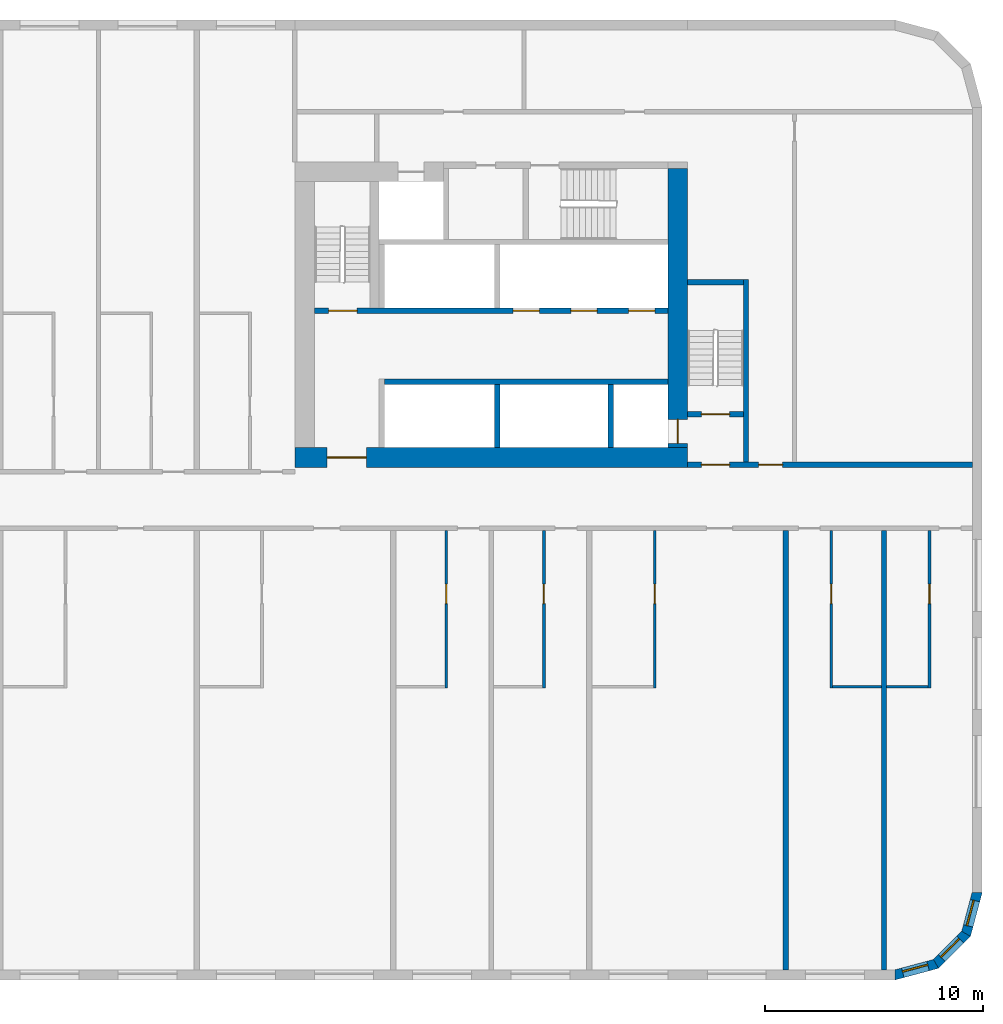
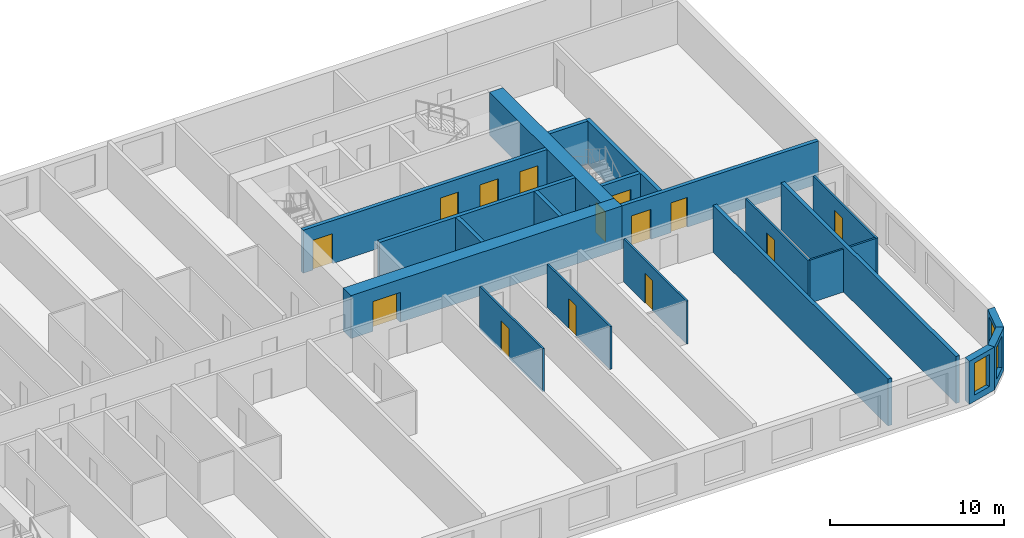
# One storey, part 7 of 12: 22 walls, 14 doors, 3 windows, 17 openings.
"""IFC4 building model written with IfcOpenShell, lengths in metres."""

from ifc_helpers import new_model, si_unit, direction, frame, frame_2d, origin, place, context, subcontext, project, spatial, polyline, rectangle, outline, extrude, material, layer, layer_set, type_object, element, fill, save


model = new_model("IFC4")

# Units and contexts
model_context = context("Model", 3, precision=1e-05, world=origin(), true_north=direction((0.0, 1.0)))
body_context = subcontext(model_context, "Body", "Model", "MODEL_VIEW")
ifc_project = project(units=[si_unit("LENGTHUNIT", "METRE"), si_unit("AREAUNIT", "SQUARE_METRE"), si_unit("VOLUMEUNIT", "CUBIC_METRE"), si_unit("PLANEANGLEUNIT", "RADIAN"), si_unit("MASSUNIT", "GRAM", prefix="KILO")], contexts=[model_context])

# Site, building, storey
site_placement = place(None, origin())
site = spatial("IfcSite", under=ifc_project, at=site_placement, CompositionType="ELEMENT")
building_placement = place(site_placement, origin())
building = spatial("IfcBuilding", under=site, at=building_placement, Name="Kajstack Hotel Tower", CompositionType="ELEMENT")
storey_placement = place(building_placement, frame((0.0, 0.0, 73.199951171875)))
storey = spatial("IfcBuildingStorey", under=building, at=storey_placement, Name="L13", CompositionType="ELEMENT", Elevation=73.199951171875)

# Wall, opening, door
ifc_material_1 = material(Name="Concrete C60/75", Category="concrete")
ifc_layer_1 = layer(ifc_material_1, 0.89990234375)
ifc_layer_set_1 = layer_set([ifc_layer_1], Name="Core wall 900")
wall_type_1 = type_object("IfcWallType", Name="Core wall 900", PredefinedType="SHEAR", material=ifc_layer_set_1)
wall_1_placement = place(storey_placement, frame((13.5, 1.949951171875, 0.0), z_axis=(0.0, 0.0, 1.0), x_axis=(1.0, 0.0, 0.0)))
wall_1 = element("IfcWall", 1, at=wall_1_placement, inside=storey, type_object=wall_type_1, Name="Core wall E RN", PredefinedType="SHEAR", context=body_context, shape_type="SweptSolid", body=[
    extrude(rectangle(XDim=18.0, YDim=0.89990234375, at=frame_2d((9.0, 0.0))), origin(), (0.0, 0.0, 1.0), 3.02001953125),
])
opening_1_placement = place(wall_1_placement, frame((1.47509765625, 0.0, 0.0)))
opening_1 = element("IfcOpeningElement", 2, at=opening_1_placement, cuts=wall_1, Name="Opening 13E06", PredefinedType="OPENING", context=body_context, shape_type="SweptSolid", body=[
    extrude(rectangle(XDim=1.800048828125, YDim=2.10009765625, at=frame_2d((0.89990234375, 1.050048828125))), frame((0.0, 0.4599609375, 0.0), z_axis=(0.0, -1.0, 0.0), x_axis=(1.0, 0.0, 0.0)), (0.0, 0.0, 1.0), 0.919921875),
])
ifc_material_2 = material(Name="Glazed steel frame, fire-rated glass", Category="steel")
door_type_1 = type_object("IfcDoorType", Name="Lobby double door 1800", OperationType="DOUBLE_DOOR_DOUBLE_SWING", PredefinedType="DOOR", material=ifc_material_2)
door_1_placement = place(opening_1_placement, origin())
door_1 = element("IfcDoor", 3, at=door_1_placement, inside=storey, type_object=door_type_1, Name="Door 13E06", OperationType="DOUBLE_DOOR_DOUBLE_SWING", OverallHeight=2.10009765625, OverallWidth=1.800048828125, PredefinedType="DOOR", context=body_context, shape_type="SweptSolid", body=[
    extrude(rectangle(XDim=1.800048828125, YDim=2.10009765625, at=frame_2d((0.89990234375, 1.050048828125))), frame((0.0, 0.02490234375, 0.0), z_axis=(0.0, -1.0, 0.0), x_axis=(1.0, 0.0, 0.0)), (0.0, 0.0, 1.0), 0.050048828125),
])
fill(opening_1, door_1)

wall_2_placement = place(storey_placement, frame((31.050048828125, 2.39990234375, 0.0), z_axis=(0.0, 0.0, 1.0), x_axis=(0.0, 1.0, 0.0)))
wall_2 = element("IfcWall", 4, at=wall_2_placement, inside=storey, type_object=wall_type_1, Name="Core wall E RW", PredefinedType="SHEAR", context=body_context, shape_type="SweptSolid", body=[
    extrude(rectangle(XDim=12.800048828125, YDim=0.89990234375, at=frame_2d((6.39990234375, 0.0))), origin(), (0.0, 0.0, 1.0), 3.02001953125),
])
opening_2_placement = place(wall_2_placement, frame((0.199951171875, 0.0, 0.0)))
opening_2 = element("IfcOpeningElement", 5, at=opening_2_placement, cuts=wall_2, Name="Opening LD-FF2", PredefinedType="OPENING", context=body_context, shape_type="SweptSolid", body=[
    extrude(rectangle(XDim=1.10009765625, YDim=2.10009765625, at=frame_2d((0.550048828125, 1.050048828125))), frame((0.0, 0.4599609375, 0.0), z_axis=(0.0, -1.0, 0.0), x_axis=(1.0, 0.0, 0.0)), (0.0, 0.0, 1.0), 0.919921875),
])
ifc_material_3 = material(Name="Stainless steel", Category="steel")
door_type_2 = type_object("IfcDoorType", Name="Fire-fighting lift landing door 1100", OperationType="SLIDING_TO_LEFT", PredefinedType="DOOR", material=ifc_material_3)
door_2_placement = place(opening_2_placement, origin())
door_2 = element("IfcDoor", 6, at=door_2_placement, inside=storey, type_object=door_type_2, Name="Landing door FF2", OperationType="SLIDING_TO_LEFT", OverallHeight=2.10009765625, OverallWidth=1.10009765625, PredefinedType="DOOR", context=body_context, shape_type="SweptSolid", body=[
    extrude(rectangle(XDim=1.10009765625, YDim=2.10009765625, at=frame_2d((0.550048828125, 1.050048828125))), frame((0.0, 0.02490234375, 0.0), z_axis=(0.0, -1.0, 0.0), x_axis=(1.0, 0.0, 0.0)), (0.0, 0.0, 1.0), 0.050048828125),
])
fill(opening_2, door_2)

# Wall, opening, window
ifc_material_4 = material(Name="Terracotta-faced brick masonry", Category="masonry")
ifc_layer_2 = layer(ifc_material_4, 0.449951171875)
ifc_layer_set_2 = layer_set([ifc_layer_2], Name="EW-TERRA")
wall_type_2 = type_object("IfcWallType", Name="EW-TERRA", PredefinedType="SOLIDWALL", material=ifc_layer_set_2)
wall_3_placement = place(storey_placement, frame((40.941650390625, -21.78271484375, 0.0), z_axis=(0.0, 0.0, 1.0), x_axis=(0.965926999034, 0.25881466832, 0.0)))
wall_3 = element("IfcWall", 7, at=wall_3_placement, inside=storey, type_object=wall_type_2, Name="E-wall-L13-04-00", PredefinedType="SOLIDWALL", context=body_context, shape_type="SweptSolid", body=[
    extrude(outline(polyline([(0.000244140625, -0.22509765625), (2.070556640625, -0.224853515625), (1.9501953125, 0.22509765625), (0.12060546875, 0.22509765625), (0.000244140625, -0.22509765625)])), origin(), (0.0, 0.0, 1.0), 3.02001953125),
])
opening_3_placement = place(wall_3_placement, frame((0.435302734375, 0.0, 0.449951171875)))
opening_3 = element("IfcOpeningElement", 8, at=opening_3_placement, cuts=wall_3, Name="Opening W3", PredefinedType="OPENING", context=body_context, shape_type="SweptSolid", body=[
    extrude(rectangle(XDim=1.199951171875, YDim=2.25, at=frame_2d((0.60009765625, 1.125))), frame((0.0, 0.23486328125, 0.0), z_axis=(0.0, -1.0, 0.0), x_axis=(1.0, 0.0, 0.0)), (0.0, 0.0, 1.0), 0.469970703125),
])
ifc_material_5 = material(Name="Timber-aluminium window, triple glazed", Category="wood")
window_type = type_object("IfcWindowType", Name="WG3", PartitioningType="SINGLE_PANEL", PredefinedType="WINDOW", material=ifc_material_5)
window_1_placement = place(opening_3_placement, origin())
window_1 = element("IfcWindow", 9, at=window_1_placement, inside=storey, type_object=window_type, Name="Window W3 L13-04", OverallHeight=2.25, OverallWidth=1.199951171875, PartitioningType="SINGLE_PANEL", PredefinedType="WINDOW", context=body_context, shape_type="SweptSolid", body=[
    extrude(rectangle(XDim=1.199951171875, YDim=2.25, at=frame_2d((0.60009765625, 1.125))), frame((0.0, 0.090087890625, 0.0), z_axis=(0.0, -1.0, 0.0), x_axis=(1.0, 0.0, 0.0)), (0.0, 0.0, 1.0), 0.06005859375),
])
fill(opening_3, window_1)

wall_4_placement = place(storey_placement, frame((42.8408203125, -21.304931640625, 0.0), z_axis=(0.0, 0.0, 1.0), x_axis=(0.707106781187, 0.707106781187, 0.0)))
wall_4 = element("IfcWall", 10, at=wall_4_placement, inside=storey, type_object=wall_type_2, Name="E-wall-L13-05-00", PredefinedType="SOLIDWALL", context=body_context, shape_type="SweptSolid", body=[
    extrude(outline(polyline([(0.0, -0.22509765625), (2.070556640625, -0.22509765625), (1.949951171875, 0.224853515625), (0.12060546875, 0.224853515625), (0.0, -0.22509765625)])), origin(), (0.0, 0.0, 1.0), 3.02001953125),
])
opening_4_placement = place(wall_4_placement, frame((0.435302734375, 0.0, 0.449951171875)))
opening_4 = element("IfcOpeningElement", 11, at=opening_4_placement, cuts=wall_4, Name="Opening W3", PredefinedType="OPENING", context=body_context, shape_type="SweptSolid", body=[
    extrude(rectangle(XDim=1.199951171875, YDim=2.25, at=frame_2d((0.60009765625, 1.125))), frame((0.0, 0.23486328125, 0.0), z_axis=(0.0, -1.0, 0.0), x_axis=(1.0, 0.0, 0.0)), (0.0, 0.0, 1.0), 0.469970703125),
])
window_2_placement = place(opening_4_placement, origin())
window_2 = element("IfcWindow", 12, at=window_2_placement, inside=storey, type_object=window_type, Name="Window W3 L13-05", OverallHeight=2.25, OverallWidth=1.199951171875, PartitioningType="SINGLE_PANEL", PredefinedType="WINDOW", context=body_context, shape_type="SweptSolid", body=[
    extrude(rectangle(XDim=1.199951171875, YDim=2.25, at=frame_2d((0.60009765625, 1.125))), frame((0.0, 0.090087890625, 0.0), z_axis=(0.0, -1.0, 0.0), x_axis=(1.0, 0.0, 0.0)), (0.0, 0.0, 1.0), 0.06005859375),
])
fill(opening_4, window_2)

wall_5_placement = place(storey_placement, frame((44.246826171875, -19.941650390625, 0.0), z_axis=(0.0, 0.0, 1.0), x_axis=(0.25881466832, 0.965926999034, 0.0)))
wall_5 = element("IfcWall", 13, at=wall_5_placement, inside=storey, type_object=wall_type_2, Name="E-wall-L13-06-00", PredefinedType="SOLIDWALL", context=body_context, shape_type="SweptSolid", body=[
    extrude(outline(polyline([(-0.000244140625, -0.224853515625), (2.0703125, -0.22509765625), (1.949951171875, 0.22509765625), (0.120361328125, 0.22509765625), (-0.000244140625, -0.224853515625)])), origin(), (0.0, 0.0, 1.0), 3.02001953125),
])
opening_5_placement = place(wall_5_placement, frame((0.435302734375, 0.0, 0.449951171875)))
opening_5 = element("IfcOpeningElement", 14, at=opening_5_placement, cuts=wall_5, Name="Opening W3", PredefinedType="OPENING", context=body_context, shape_type="SweptSolid", body=[
    extrude(rectangle(XDim=1.199951171875, YDim=2.25, at=frame_2d((0.60009765625, 1.125))), frame((0.0, 0.23486328125, 0.0), z_axis=(0.0, -1.0, 0.0), x_axis=(1.0, 0.0, 0.0)), (0.0, 0.0, 1.0), 0.469970703125),
])
window_3_placement = place(opening_5_placement, origin())
window_3 = element("IfcWindow", 15, at=window_3_placement, inside=storey, type_object=window_type, Name="Window W3 L13-06", OverallHeight=2.25, OverallWidth=1.199951171875, PartitioningType="SINGLE_PANEL", PredefinedType="WINDOW", context=body_context, shape_type="SweptSolid", body=[
    extrude(rectangle(XDim=1.199951171875, YDim=2.25, at=frame_2d((0.60009765625, 1.125))), frame((0.0, 0.090087890625, 0.0), z_axis=(0.0, -1.0, 0.0), x_axis=(1.0, 0.0, 0.0)), (0.0, 0.0, 1.0), 0.06005859375),
])
fill(opening_5, window_3)

# Wall, opening, door
ifc_material_6 = material(Name="Gypsum board and tiled backer on steel studs", Category="steel")
ifc_layer_3 = layer(ifc_material_6, 0.125)
ifc_layer_set_3 = layer_set([ifc_layer_3], Name="En-suite wall 125")
wall_type_3 = type_object("IfcWallType", Name="En-suite wall 125", PredefinedType="PARTITIONING", material=ifc_layer_set_3)
wall_6_placement = place(storey_placement, frame((20.43798828125, -8.625, 0.0), z_axis=(0.0, 0.0, 1.0), x_axis=(0.0, 1.0, 0.0)))
wall_6 = element("IfcWall", 16, at=wall_6_placement, inside=storey, type_object=wall_type_3, Name="G-wall-L13-042", PredefinedType="PARTITIONING", context=body_context, shape_type="SweptSolid", body=[
    extrude(rectangle(XDim=7.22509765625, YDim=0.125, at=frame_2d((3.612548828125, 0.0))), origin(), (0.0, 0.0, 1.0), 3.02001953125),
])
opening_6_placement = place(wall_6_placement, frame((3.875, 0.0, 0.0)))
opening_6 = element("IfcOpeningElement", 17, at=opening_6_placement, cuts=wall_6, Name="Opening 13034", PredefinedType="OPENING", context=body_context, shape_type="SweptSolid", body=[
    extrude(rectangle(XDim=0.89990234375, YDim=2.10009765625, at=frame_2d((0.449951171875, 1.050048828125))), frame((0.0, 0.072509765625, 0.0), z_axis=(0.0, -1.0, 0.0), x_axis=(1.0, 0.0, 0.0)), (0.0, 0.0, 1.0), 0.14501953125),
])
ifc_material_7 = material(Name="Painted timber door leaf", Category="wood")
door_type_3 = type_object("IfcDoorType", Name="Room door 900", OperationType="SINGLE_SWING_LEFT", PredefinedType="DOOR", material=ifc_material_7)
door_3_placement = place(opening_6_placement, origin())
door_3 = element("IfcDoor", 18, at=door_3_placement, inside=storey, type_object=door_type_3, Name="G-door-L13-34", OperationType="SINGLE_SWING_LEFT", OverallHeight=2.10009765625, OverallWidth=0.89990234375, PredefinedType="DOOR", context=body_context, shape_type="SweptSolid", body=[
    extrude(rectangle(XDim=0.89990234375, YDim=2.10009765625, at=frame_2d((0.449951171875, 1.050048828125))), frame((0.0, 0.02490234375, 0.0), z_axis=(0.0, -1.0, 0.0), x_axis=(1.0, 0.0, 0.0)), (0.0, 0.0, 1.0), 0.050048828125),
])
fill(opening_6, door_3)

wall_7_placement = place(storey_placement, frame((24.9130859375, -8.625, 0.0), z_axis=(0.0, 0.0, 1.0), x_axis=(0.0, 1.0, 0.0)))
wall_7 = element("IfcWall", 19, at=wall_7_placement, inside=storey, type_object=wall_type_3, Name="G-wall-L13-044", PredefinedType="PARTITIONING", context=body_context, shape_type="SweptSolid", body=[
    extrude(rectangle(XDim=7.22509765625, YDim=0.125, at=frame_2d((3.612548828125, 0.0))), origin(), (0.0, 0.0, 1.0), 3.02001953125),
])
opening_7_placement = place(wall_7_placement, frame((3.875, 0.0, 0.0)))
opening_7 = element("IfcOpeningElement", 20, at=opening_7_placement, cuts=wall_7, Name="Opening 13036", PredefinedType="OPENING", context=body_context, shape_type="SweptSolid", body=[
    extrude(rectangle(XDim=0.89990234375, YDim=2.10009765625, at=frame_2d((0.449951171875, 1.050048828125))), frame((0.0, 0.072509765625, 0.0), z_axis=(0.0, -1.0, 0.0), x_axis=(1.0, 0.0, 0.0)), (0.0, 0.0, 1.0), 0.14501953125),
])
door_4_placement = place(opening_7_placement, origin())
door_4 = element("IfcDoor", 21, at=door_4_placement, inside=storey, type_object=door_type_3, Name="G-door-L13-36", OperationType="SINGLE_SWING_RIGHT", OverallHeight=2.10009765625, OverallWidth=0.89990234375, PredefinedType="DOOR", context=body_context, shape_type="SweptSolid", body=[
    extrude(rectangle(XDim=0.89990234375, YDim=2.10009765625, at=frame_2d((0.449951171875, 1.050048828125))), frame((0.0, 0.02490234375, 0.0), z_axis=(0.0, -1.0, 0.0), x_axis=(1.0, 0.0, 0.0)), (0.0, 0.0, 1.0), 0.050048828125),
])
fill(opening_7, door_4)

wall_8_placement = place(storey_placement, frame((29.988037109375, -8.625, 0.0), z_axis=(0.0, 0.0, 1.0), x_axis=(0.0, 1.0, 0.0)))
wall_8 = element("IfcWall", 22, at=wall_8_placement, inside=storey, type_object=wall_type_3, Name="G-wall-L13-046", PredefinedType="PARTITIONING", context=body_context, shape_type="SweptSolid", body=[
    extrude(rectangle(XDim=7.22509765625, YDim=0.125, at=frame_2d((3.612548828125, 0.0))), origin(), (0.0, 0.0, 1.0), 3.02001953125),
])
opening_8_placement = place(wall_8_placement, frame((3.875, 0.0, 0.0)))
opening_8 = element("IfcOpeningElement", 23, at=opening_8_placement, cuts=wall_8, Name="Opening 13038", PredefinedType="OPENING", context=body_context, shape_type="SweptSolid", body=[
    extrude(rectangle(XDim=0.89990234375, YDim=2.10009765625, at=frame_2d((0.449951171875, 1.050048828125))), frame((0.0, 0.072509765625, 0.0), z_axis=(0.0, -1.0, 0.0), x_axis=(1.0, 0.0, 0.0)), (0.0, 0.0, 1.0), 0.14501953125),
])
door_5_placement = place(opening_8_placement, origin())
door_5 = element("IfcDoor", 24, at=door_5_placement, inside=storey, type_object=door_type_3, Name="G-door-L13-38", OperationType="SINGLE_SWING_LEFT", OverallHeight=2.10009765625, OverallWidth=0.89990234375, PredefinedType="DOOR", context=body_context, shape_type="SweptSolid", body=[
    extrude(rectangle(XDim=0.89990234375, YDim=2.10009765625, at=frame_2d((0.449951171875, 1.050048828125))), frame((0.0, 0.02490234375, 0.0), z_axis=(0.0, -1.0, 0.0), x_axis=(1.0, 0.0, 0.0)), (0.0, 0.0, 1.0), 0.050048828125),
])
fill(opening_8, door_5)

wall_9_placement = place(storey_placement, frame((38.0869140625, -8.625, 0.0), z_axis=(0.0, 0.0, 1.0), x_axis=(0.0, 1.0, 0.0)))
wall_9 = element("IfcWall", 25, at=wall_9_placement, inside=storey, type_object=wall_type_3, Name="G-wall-L13-048", PredefinedType="PARTITIONING", context=body_context, shape_type="SweptSolid", body=[
    extrude(rectangle(XDim=7.22509765625, YDim=0.125, at=frame_2d((3.612548828125, 0.0))), origin(), (0.0, 0.0, 1.0), 3.02001953125),
])
opening_9_placement = place(wall_9_placement, frame((3.875, 0.0, 0.0)))
opening_9 = element("IfcOpeningElement", 26, at=opening_9_placement, cuts=wall_9, Name="Opening 13040", PredefinedType="OPENING", context=body_context, shape_type="SweptSolid", body=[
    extrude(rectangle(XDim=0.89990234375, YDim=2.10009765625, at=frame_2d((0.449951171875, 1.050048828125))), frame((0.0, 0.072509765625, 0.0), z_axis=(0.0, -1.0, 0.0), x_axis=(1.0, 0.0, 0.0)), (0.0, 0.0, 1.0), 0.14501953125),
])
door_6_placement = place(opening_9_placement, origin())
door_6 = element("IfcDoor", 27, at=door_6_placement, inside=storey, type_object=door_type_3, Name="G-door-L13-40", OperationType="SINGLE_SWING_RIGHT", OverallHeight=2.10009765625, OverallWidth=0.89990234375, PredefinedType="DOOR", context=body_context, shape_type="SweptSolid", body=[
    extrude(rectangle(XDim=0.89990234375, YDim=2.10009765625, at=frame_2d((0.449951171875, 1.050048828125))), frame((0.0, 0.02490234375, 0.0), z_axis=(0.0, -1.0, 0.0), x_axis=(1.0, 0.0, 0.0)), (0.0, 0.0, 1.0), 0.050048828125),
])
fill(opening_9, door_6)

# Wall
wall_10_placement = place(storey_placement, frame((38.14990234375, -8.56201171875, 0.0), z_axis=(0.0, 0.0, 1.0), x_axis=(1.0, 0.0, 0.0)))
element("IfcWall", 28, at=wall_10_placement, inside=storey, type_object=wall_type_3, Name="G-wall-L13-049", PredefinedType="PARTITIONING", context=body_context, shape_type="SweptSolid", body=[
    extrude(rectangle(XDim=2.22509765625, YDim=0.125, at=frame_2d((1.112548828125, 0.0))), origin(), (0.0, 0.0, 1.0), 3.02001953125),
])

# Wall, opening, door
wall_11_placement = place(storey_placement, frame((42.5869140625, -8.625, 0.0), z_axis=(0.0, 0.0, 1.0), x_axis=(0.0, 1.0, 0.0)))
wall_11 = element("IfcWall", 29, at=wall_11_placement, inside=storey, type_object=wall_type_3, Name="G-wall-L13-050", PredefinedType="PARTITIONING", context=body_context, shape_type="SweptSolid", body=[
    extrude(rectangle(XDim=7.22509765625, YDim=0.125, at=frame_2d((3.612548828125, 0.0))), origin(), (0.0, 0.0, 1.0), 3.02001953125),
])
opening_10_placement = place(wall_11_placement, frame((3.875, 0.0, 0.0)))
opening_10 = element("IfcOpeningElement", 30, at=opening_10_placement, cuts=wall_11, Name="Opening 13042", PredefinedType="OPENING", context=body_context, shape_type="SweptSolid", body=[
    extrude(rectangle(XDim=0.89990234375, YDim=2.10009765625, at=frame_2d((0.449951171875, 1.050048828125))), frame((0.0, 0.072509765625, 0.0), z_axis=(0.0, -1.0, 0.0), x_axis=(1.0, 0.0, 0.0)), (0.0, 0.0, 1.0), 0.14501953125),
])
door_7_placement = place(opening_10_placement, origin())
door_7 = element("IfcDoor", 31, at=door_7_placement, inside=storey, type_object=door_type_3, Name="G-door-L13-42", OperationType="SINGLE_SWING_RIGHT", OverallHeight=2.10009765625, OverallWidth=0.89990234375, PredefinedType="DOOR", context=body_context, shape_type="SweptSolid", body=[
    extrude(rectangle(XDim=0.89990234375, YDim=2.10009765625, at=frame_2d((0.449951171875, 1.050048828125))), frame((0.0, 0.02490234375, 0.0), z_axis=(0.0, -1.0, 0.0), x_axis=(1.0, 0.0, 0.0)), (0.0, 0.0, 1.0), 0.050048828125),
])
fill(opening_10, door_7)

# Walls
wall_12_placement = place(storey_placement, frame((40.625, -8.56201171875, 0.0), z_axis=(0.0, 0.0, 1.0), x_axis=(1.0, 0.0, 0.0)))
element("IfcWall", 32, at=wall_12_placement, inside=storey, type_object=wall_type_3, Name="G-wall-L13-051", PredefinedType="PARTITIONING", context=body_context, shape_type="SweptSolid", body=[
    extrude(rectangle(XDim=1.89990234375, YDim=0.125, at=frame_2d((0.949951171875, 0.0))), origin(), (0.0, 0.0, 1.0), 3.02001953125),
])
ifc_material_8 = material(Name="Concrete C50/60", Category="concrete")
ifc_layer_4 = layer(ifc_material_8, 0.300048828125)
ifc_layer_set_4 = layer_set([ifc_layer_4], Name="Hoistway divider wall 300")
wall_type_4 = type_object("IfcWallType", Name="Hoistway divider wall 300", PredefinedType="SHEAR", material=ifc_layer_set_4)
wall_13_placement = place(storey_placement, frame((22.77490234375, 2.39990234375, 0.0), z_axis=(0.0, 0.0, 1.0), x_axis=(0.0, 1.0, 0.0)))
element("IfcWall", 33, at=wall_13_placement, inside=storey, type_object=wall_type_4, Name="Core wall E AP2", PredefinedType="SHEAR", context=body_context, shape_type="SweptSolid", body=[
    extrude(rectangle(XDim=2.900146484375, YDim=0.25, at=frame_2d((1.4501953125, 0.0))), origin(), (0.0, 0.0, 1.0), 3.02001953125),
])
ifc_layer_5 = layer(ifc_material_1, 0.25)
ifc_layer_set_5 = layer_set([ifc_layer_5], Name="RC cross wall 250 C60/75")
wall_type_5 = type_object("IfcWallType", Name="RC cross wall 250 C60/75", PredefinedType="SHEAR", material=ifc_layer_set_5)
for number, where, z_axis, x_axis, name in (
    (34, (36.0, -21.5400390625, 0.0), (0.0, 0.0, 1.0), (0.0, 1.0, 0.0), "S-wall-L13-13"),
    (35, (40.5, -21.5400390625, 0.0), (0.0, 0.0, 1.0), (0.0, 1.0, 0.0), "S-wall-L13-14"),
):
    element("IfcWall", number, at=place(storey_placement, frame(where, z_axis=z_axis, x_axis=x_axis)), inside=storey, type_object=wall_type_5, Name=name, PredefinedType="SHEAR", context=body_context, shape_type="SweptSolid", body=[
        extrude(rectangle(XDim=20.14013671875, YDim=0.25, at=frame_2d((10.070068359375, 0.0))), origin(), (0.0, 0.0, 1.0), 3.300048828125),
    ])

# Wall, openings, doors
ifc_material_9 = material(Name="Gypsum board on steel studs, mineral wool", Category="steel")
ifc_layer_6 = layer(ifc_material_9, 0.199951171875)
ifc_layer_set_6 = layer_set([ifc_layer_6], Name="Service partition 200")
wall_type_6 = type_object("IfcWallType", Name="Service partition 200", PredefinedType="PARTITIONING", material=ifc_layer_set_6)
wall_14_placement = place(storey_placement, frame((31.5, 1.625, 0.0), z_axis=(0.0, 0.0, 1.0), x_axis=(1.0, 0.0, 0.0)))
wall_14 = element("IfcWall", 36, at=wall_14_placement, inside=storey, type_object=wall_type_6, Name="Partition E SN", PredefinedType="PARTITIONING", context=body_context, shape_type="SweptSolid", body=[
    extrude(rectangle(XDim=13.050048828125, YDim=0.25, at=frame_2d((6.52490234375, 0.0))), origin(), (0.0, 0.0, 1.0), 3.02001953125),
])
opening_11_placement = place(wall_14_placement, frame((0.625, 0.0, 0.0)))
opening_11 = element("IfcOpeningElement", 37, at=opening_11_placement, cuts=wall_14, Name="Opening 13E07", PredefinedType="OPENING", context=body_context, shape_type="SweptSolid", body=[
    extrude(rectangle(XDim=1.300048828125, YDim=2.10009765625, at=frame_2d((0.64990234375, 1.050048828125))), frame((0.0, 0.135009765625, 0.0), z_axis=(0.0, -1.0, 0.0), x_axis=(1.0, 0.0, 0.0)), (0.0, 0.0, 1.0), 0.27001953125),
])
opening_12_placement = place(wall_14_placement, frame((3.25, 0.0, 0.0)))
opening_12 = element("IfcOpeningElement", 38, at=opening_12_placement, cuts=wall_14, Name="Opening 13E09", PredefinedType="OPENING", context=body_context, shape_type="SweptSolid", body=[
    extrude(rectangle(XDim=1.10009765625, YDim=2.10009765625, at=frame_2d((0.550048828125, 1.050048828125))), frame((0.0, 0.135009765625, 0.0), z_axis=(0.0, -1.0, 0.0), x_axis=(1.0, 0.0, 0.0)), (0.0, 0.0, 1.0), 0.27001953125),
])
ifc_material_10 = material(Name="Steel leaf, fire-rated", Category="steel")
door_type_4 = type_object("IfcDoorType", Name="Fire lobby door 1300", OperationType="SINGLE_SWING_LEFT", PredefinedType="DOOR", material=ifc_material_10)
door_8_placement = place(opening_11_placement, origin())
door_8 = element("IfcDoor", 39, at=door_8_placement, inside=storey, type_object=door_type_4, Name="Door 13E07", OperationType="SINGLE_SWING_LEFT", OverallHeight=2.10009765625, OverallWidth=1.300048828125, PredefinedType="DOOR", context=body_context, shape_type="SweptSolid", body=[
    extrude(rectangle(XDim=1.300048828125, YDim=2.10009765625, at=frame_2d((0.64990234375, 1.050048828125))), frame((0.0, 0.02490234375, 0.0), z_axis=(0.0, -1.0, 0.0), x_axis=(1.0, 0.0, 0.0)), (0.0, 0.0, 1.0), 0.050048828125),
])
fill(opening_11, door_8)
ifc_material_11 = material(Name="Timber leaf, fire-rated", Category="wood")
door_type_5 = type_object("IfcDoorType", Name="Service corridor door 1100", OperationType="SINGLE_SWING_LEFT", PredefinedType="DOOR", material=ifc_material_11)
door_9_placement = place(opening_12_placement, origin())
door_9 = element("IfcDoor", 40, at=door_9_placement, inside=storey, type_object=door_type_5, Name="Door 13E09", OperationType="SINGLE_SWING_LEFT", OverallHeight=2.10009765625, OverallWidth=1.10009765625, PredefinedType="DOOR", context=body_context, shape_type="SweptSolid", body=[
    extrude(rectangle(XDim=1.10009765625, YDim=2.10009765625, at=frame_2d((0.550048828125, 1.050048828125))), frame((0.0, 0.02490234375, 0.0), z_axis=(0.0, -1.0, 0.0), x_axis=(1.0, 0.0, 0.0)), (0.0, 0.0, 1.0), 0.050048828125),
])
fill(opening_12, door_9)

# Walls
ifc_layer_7 = layer(ifc_material_8, 0.25)
ifc_layer_set_7 = layer_set([ifc_layer_7], Name="Shaft wall 250")
wall_type_7 = type_object("IfcWallType", Name="Shaft wall 250", PredefinedType="SHEAR", material=ifc_layer_set_7)
wall_15_placement = place(storey_placement, frame((17.60009765625, 5.425048828125, 0.0), z_axis=(0.0, 0.0, 1.0), x_axis=(1.0, 0.0, 0.0)))
element("IfcWall", 41, at=wall_15_placement, inside=storey, type_object=wall_type_7, Name="Core wall E FA", PredefinedType="SHEAR", context=body_context, shape_type="SweptSolid", body=[
    extrude(rectangle(XDim=13.0, YDim=0.25, at=frame_2d((6.5, 0.0))), origin(), (0.0, 0.0, 1.0), 3.02001953125),
])
wall_16_placement = place(storey_placement, frame((27.97509765625, 2.39990234375, 0.0), z_axis=(0.0, 0.0, 1.0), x_axis=(0.0, 1.0, 0.0)))
element("IfcWall", 42, at=wall_16_placement, inside=storey, type_object=wall_type_7, Name="Core wall E AP0", PredefinedType="SHEAR", context=body_context, shape_type="SweptSolid", body=[
    extrude(rectangle(XDim=2.900146484375, YDim=0.25, at=frame_2d((1.4501953125, 0.0))), origin(), (0.0, 0.0, 1.0), 3.02001953125),
])

# Wall, openings, doors
wall_17_placement = place(storey_placement, frame((14.39990234375, 8.675048828125, 0.0), z_axis=(0.0, 0.0, 1.0), x_axis=(1.0, 0.0, 0.0)))
wall_17 = element("IfcWall", 43, at=wall_17_placement, inside=storey, type_object=wall_type_7, Name="Core wall E FB", PredefinedType="SHEAR", context=body_context, shape_type="SweptSolid", body=[
    extrude(rectangle(XDim=16.2001953125, YDim=0.25, at=frame_2d((8.10009765625, 0.0))), origin(), (0.0, 0.0, 1.0), 3.02001953125),
])
opening_13_placement = place(wall_17_placement, frame((14.39990234375, 0.0, 0.0)))
opening_13 = element("IfcOpeningElement", 44, at=opening_13_placement, cuts=wall_17, Name="Opening LD-LR4", PredefinedType="OPENING", context=body_context, shape_type="SweptSolid", body=[
    extrude(rectangle(XDim=1.199951171875, YDim=2.10009765625, at=frame_2d((0.60009765625, 1.050048828125))), frame((0.0, 0.135009765625, 0.0), z_axis=(0.0, -1.0, 0.0), x_axis=(1.0, 0.0, 0.0)), (0.0, 0.0, 1.0), 0.27001953125),
])
opening_14_placement = place(wall_17_placement, frame((11.75, 0.0, 0.0)))
opening_14 = element("IfcOpeningElement", 45, at=opening_14_placement, cuts=wall_17, Name="Opening LD-LR5", PredefinedType="OPENING", context=body_context, shape_type="SweptSolid", body=[
    extrude(rectangle(XDim=1.199951171875, YDim=2.10009765625, at=frame_2d((0.60009765625, 1.050048828125))), frame((0.0, 0.135009765625, 0.0), z_axis=(0.0, -1.0, 0.0), x_axis=(1.0, 0.0, 0.0)), (0.0, 0.0, 1.0), 0.27001953125),
])
opening_15_placement = place(wall_17_placement, frame((9.10009765625, 0.0, 0.0)))
opening_15 = element("IfcOpeningElement", 46, at=opening_15_placement, cuts=wall_17, Name="Opening LD-LR6", PredefinedType="OPENING", context=body_context, shape_type="SweptSolid", body=[
    extrude(rectangle(XDim=1.199951171875, YDim=2.10009765625, at=frame_2d((0.60009765625, 1.050048828125))), frame((0.0, 0.135009765625, 0.0), z_axis=(0.0, -1.0, 0.0), x_axis=(1.0, 0.0, 0.0)), (0.0, 0.0, 1.0), 0.27001953125),
])
opening_16_placement = place(wall_17_placement, frame((0.64990234375, 0.0, 0.0)))
opening_16 = element("IfcOpeningElement", 47, at=opening_16_placement, cuts=wall_17, Name="Opening 13E10", PredefinedType="OPENING", context=body_context, shape_type="SweptSolid", body=[
    extrude(rectangle(XDim=1.300048828125, YDim=2.10009765625, at=frame_2d((0.64990234375, 1.050048828125))), frame((0.0, 0.135009765625, 0.0), z_axis=(0.0, -1.0, 0.0), x_axis=(1.0, 0.0, 0.0)), (0.0, 0.0, 1.0), 0.27001953125),
])
door_type_6 = type_object("IfcDoorType", Name="Lift landing door 1200", OperationType="SLIDING_TO_LEFT", PredefinedType="DOOR", material=ifc_material_3)
door_10_placement = place(opening_13_placement, origin())
door_10 = element("IfcDoor", 48, at=door_10_placement, inside=storey, type_object=door_type_6, Name="Landing door LR4", OperationType="SLIDING_TO_LEFT", OverallHeight=2.10009765625, OverallWidth=1.199951171875, PredefinedType="DOOR", context=body_context, shape_type="SweptSolid", body=[
    extrude(rectangle(XDim=1.199951171875, YDim=2.10009765625, at=frame_2d((0.60009765625, 1.050048828125))), frame((0.0, 0.02490234375, 0.0), z_axis=(0.0, -1.0, 0.0), x_axis=(1.0, 0.0, 0.0)), (0.0, 0.0, 1.0), 0.050048828125),
])
fill(opening_13, door_10)
door_11_placement = place(opening_14_placement, origin())
door_11 = element("IfcDoor", 49, at=door_11_placement, inside=storey, type_object=door_type_6, Name="Landing door LR5", OperationType="SLIDING_TO_RIGHT", OverallHeight=2.10009765625, OverallWidth=1.199951171875, PredefinedType="DOOR", context=body_context, shape_type="SweptSolid", body=[
    extrude(rectangle(XDim=1.199951171875, YDim=2.10009765625, at=frame_2d((0.60009765625, 1.050048828125))), frame((0.0, 0.02490234375, 0.0), z_axis=(0.0, -1.0, 0.0), x_axis=(1.0, 0.0, 0.0)), (0.0, 0.0, 1.0), 0.050048828125),
])
fill(opening_14, door_11)
door_12_placement = place(opening_15_placement, origin())
door_12 = element("IfcDoor", 50, at=door_12_placement, inside=storey, type_object=door_type_6, Name="Landing door LR6", OperationType="SLIDING_TO_RIGHT", OverallHeight=2.10009765625, OverallWidth=1.199951171875, PredefinedType="DOOR", context=body_context, shape_type="SweptSolid", body=[
    extrude(rectangle(XDim=1.199951171875, YDim=2.10009765625, at=frame_2d((0.60009765625, 1.050048828125))), frame((0.0, 0.02490234375, 0.0), z_axis=(0.0, -1.0, 0.0), x_axis=(1.0, 0.0, 0.0)), (0.0, 0.0, 1.0), 0.050048828125),
])
fill(opening_15, door_12)
door_type_7 = type_object("IfcDoorType", Name="Stair door 1300", OperationType="SINGLE_SWING_LEFT", PredefinedType="DOOR", material=ifc_material_10)
door_13_placement = place(opening_16_placement, origin())
door_13 = element("IfcDoor", 51, at=door_13_placement, inside=storey, type_object=door_type_7, Name="Door 13E10", OperationType="SINGLE_SWING_LEFT", OverallHeight=2.10009765625, OverallWidth=1.300048828125, PredefinedType="DOOR", context=body_context, shape_type="SweptSolid", body=[
    extrude(rectangle(XDim=1.300048828125, YDim=2.10009765625, at=frame_2d((0.64990234375, 1.050048828125))), frame((0.0, 0.02490234375, 0.0), z_axis=(0.0, -1.0, 0.0), x_axis=(1.0, 0.0, 0.0)), (0.0, 0.0, 1.0), 0.050048828125),
])
fill(opening_16, door_13)

# Wall, opening, door
ifc_material_12 = material(Name="Concrete C40/50", Category="concrete")
ifc_layer_8 = layer(ifc_material_12, 0.25)
ifc_layer_set_8 = layer_set([ifc_layer_8], Name="Stair enclosure wall 250")
wall_type_8 = type_object("IfcWallType", Name="Stair enclosure wall 250", PredefinedType="SHEAR", material=ifc_layer_set_8)
wall_18_placement = place(storey_placement, frame((31.5, 3.925048828125, 0.0), z_axis=(0.0, 0.0, 1.0), x_axis=(1.0, 0.0, 0.0)))
wall_18 = element("IfcWall", 52, at=wall_18_placement, inside=storey, type_object=wall_type_8, Name="Core wall E W1N", PredefinedType="SHEAR", context=body_context, shape_type="SweptSolid", body=[
    extrude(rectangle(XDim=2.550048828125, YDim=0.25, at=frame_2d((1.27490234375, 0.0))), origin(), (0.0, 0.0, 1.0), 3.02001953125),
])
opening_17_placement = place(wall_18_placement, frame((0.625, 0.0, 0.0)))
opening_17 = element("IfcOpeningElement", 53, at=opening_17_placement, cuts=wall_18, Name="Opening 13E08", PredefinedType="OPENING", context=body_context, shape_type="SweptSolid", body=[
    extrude(rectangle(XDim=1.300048828125, YDim=2.10009765625, at=frame_2d((0.64990234375, 1.050048828125))), frame((0.0, 0.135009765625, 0.0), z_axis=(0.0, -1.0, 0.0), x_axis=(1.0, 0.0, 0.0)), (0.0, 0.0, 1.0), 0.27001953125),
])
door_14_placement = place(opening_17_placement, origin())
door_14 = element("IfcDoor", 54, at=door_14_placement, inside=storey, type_object=door_type_7, Name="Door 13E08", OperationType="SINGLE_SWING_LEFT", OverallHeight=2.10009765625, OverallWidth=1.300048828125, PredefinedType="DOOR", context=body_context, shape_type="SweptSolid", body=[
    extrude(rectangle(XDim=1.300048828125, YDim=2.10009765625, at=frame_2d((0.64990234375, 1.050048828125))), frame((0.0, 0.02490234375, 0.0), z_axis=(0.0, -1.0, 0.0), x_axis=(1.0, 0.0, 0.0)), (0.0, 0.0, 1.0), 0.050048828125),
])
fill(opening_17, door_14)

# Walls
wall_19_placement = place(storey_placement, frame((34.175048828125, 1.75, 0.0), z_axis=(0.0, 0.0, 1.0), x_axis=(0.0, 1.0, 0.0)))
element("IfcWall", 55, at=wall_19_placement, inside=storey, type_object=wall_type_8, Name="Core wall E W1W", PredefinedType="SHEAR", context=body_context, shape_type="SweptSolid", body=[
    extrude(rectangle(XDim=8.35009765625, YDim=0.25, at=frame_2d((4.175048828125, 0.0))), origin(), (0.0, 0.0, 1.0), 3.02001953125),
])
wall_20_placement = place(storey_placement, frame((31.5, 9.97509765625, 0.0), z_axis=(0.0, 0.0, 1.0), x_axis=(1.0, 0.0, 0.0)))
element("IfcWall", 56, at=wall_20_placement, inside=storey, type_object=wall_type_8, Name="Core wall E W1S", PredefinedType="SHEAR", context=body_context, shape_type="SweptSolid", body=[
    extrude(rectangle(XDim=2.550048828125, YDim=0.25, at=frame_2d((1.27490234375, 0.0))), origin(), (0.0, 0.0, 1.0), 3.02001953125),
])

save(model, "model.ifc")
